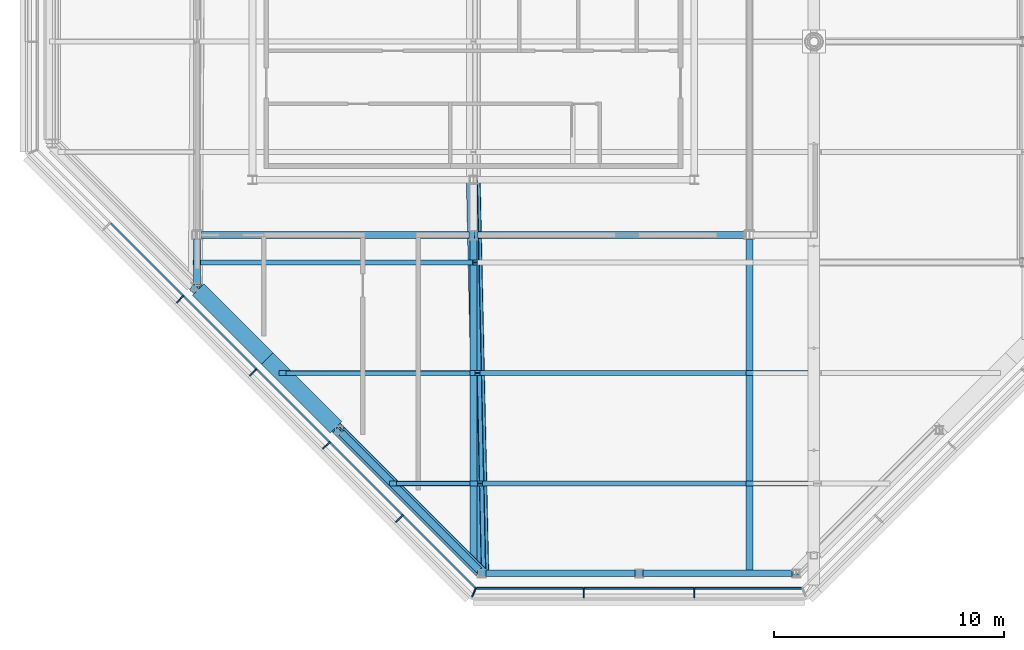
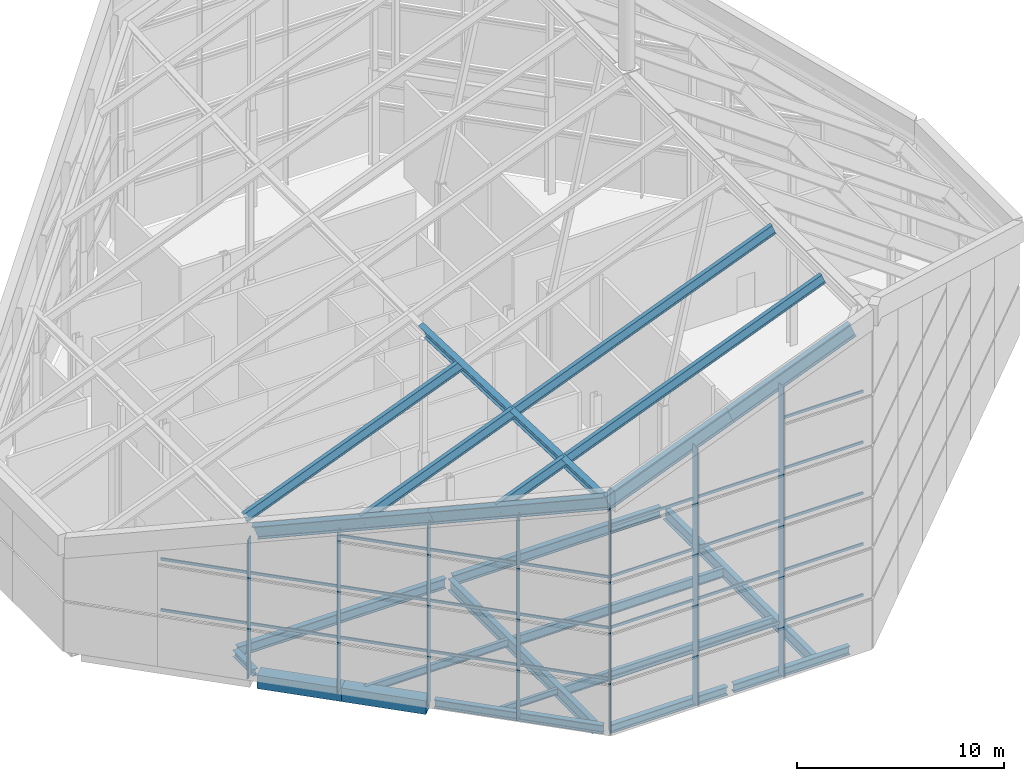
# One storey, part 4 of 21: 33 members, 24 beams, 2 elements without a shape of their own.
"""IFC4 building model written with IfcOpenShell, lengths in metres."""

from ifc_helpers import new_model, si_unit, direction, frame, origin, origin_2d, place, context, subcontext, project, spatial, rectangle, hollow_rectangle, i_section, extrude, material, material_profile, profile_set, type_object, element, aggregate, save


model = new_model("IFC4")

# Units and contexts
model_context = context("Model", 3, precision=1e-05, world=origin(), true_north=direction((0.0, 1.0)))
body_context = subcontext(model_context, "Body", "Model", "MODEL_VIEW")
ifc_project = project(units=[si_unit("LENGTHUNIT", "METRE"), si_unit("AREAUNIT", "SQUARE_METRE"), si_unit("VOLUMEUNIT", "CUBIC_METRE"), si_unit("PLANEANGLEUNIT", "RADIAN"), si_unit("MASSUNIT", "GRAM", prefix="KILO")], contexts=[model_context])

# Site, building, storey
site_placement = place(None, origin())
site = spatial("IfcSite", under=ifc_project, at=site_placement, CompositionType="ELEMENT")
building_placement = place(site_placement, origin())
building = spatial("IfcBuilding", under=site, at=building_placement, Name="Cairn Pilgrim Tower", CompositionType="ELEMENT")
storey_placement = place(building_placement, frame((0.0, 0.0, 295.800048828125)))
storey = spatial("IfcBuildingStorey", under=building, at=storey_placement, Name="L76", CompositionType="ELEMENT", Elevation=295.800048828125)

# Beams
ifc_material_1 = material(Name="Structural steel S355J2", Category="steel")
ifc_material_profile_1 = material_profile(ifc_material_1, hollow_rectangle(XDim=0.699951171875, YDim=0.800048828125, WallThickness=0.0400390625, at=origin_2d()), Name="BOX 700x800x40")
ifc_profile_set_1 = profile_set([ifc_material_profile_1], Name="Structural steel S355J2")
beam_type_1 = type_object("IfcBeamType", Name="BOX 700x800x40 RING GIRDER", PredefinedType="SPANDREL", material=ifc_profile_set_1)
for number, where, z_axis, x_axis, name in (
    (1, (-4.751220703125, -10.77587890625, -0.60009765625), (0.707077889614, -0.707135671578, 0.0), (0.707135671578, 0.707077889614, 0.0), "RG4-SW2-SW3-1"),
    (2, (-1.763671875, -13.763671875, -0.60009765625), (0.707135671578, -0.707077889614, 0.0), (0.707077889614, 0.707135671578, 0.0), "RG4-SW2-SW3-2"),
):
    element("IfcBeam", number, at=place(storey_placement, frame(where, z_axis=z_axis, x_axis=x_axis)), inside=storey, type_object=beam_type_1, Name=name, PredefinedType="SPANDREL", context=body_context, shape_type="SweptSolid", body=[
        extrude(hollow_rectangle(XDim=0.699951171875, YDim=0.800048828125, WallThickness=0.0400390625, at=origin_2d()), origin(), (0.0, 0.0, 1.0), 4.22509765625),
    ])
ifc_material_profile_2 = material_profile(ifc_material_1, i_section(OverallWidth=0.219970703125, OverallDepth=0.60009765625, WebThickness=0.011962890625, FlangeThickness=0.01904296875, FilletRadius=0.02392578125, at=origin_2d()), Name="IPE 600")
ifc_profile_set_2 = profile_set([ifc_material_profile_2], Name="Structural steel S355J2")
beam_type_2 = type_object("IfcBeamType", Name="CROWN RAFTER IPE 600", PredefinedType="BEAM", material=ifc_profile_set_2)
beam_1_placement = place(storey_placement, frame((3.6728515625, -19.199951171875, 11.577392578125), z_axis=(0.929425313232, 0.0, 0.369010280513), x_axis=(0.0, 1.0, 0.0)))
element("IfcBeam", 3, at=beam_1_placement, inside=storey, type_object=beam_type_2, Name="CROWN RAFTER CR-IPE600", PredefinedType="BEAM", context=body_context, shape_type="SweptSolid", body=[
    extrude(i_section(OverallWidth=0.219970703125, OverallDepth=0.60009765625, WebThickness=0.011962890625, FlangeThickness=0.01904296875, FilletRadius=0.02392578125, at=origin_2d()), origin(), (0.0, 0.0, 1.0), 4.104736328125),
])
beam_2_placement = place(storey_placement, frame((7.48779296875, -19.199951171875, 13.092041015625), z_axis=(0.929411850688, 0.0, 0.369044186786), x_axis=(0.0, 1.0, 0.0)))
element("IfcBeam", 4, at=beam_2_placement, inside=storey, type_object=beam_type_2, Name="CROWN RAFTER CR-IPE600", PredefinedType="BEAM", context=body_context, shape_type="SweptSolid", body=[
    extrude(i_section(OverallWidth=0.219970703125, OverallDepth=0.60009765625, WebThickness=0.011962890625, FlangeThickness=0.01904296875, FilletRadius=0.02392578125, at=origin_2d()), origin(), (0.0, 0.0, 1.0), 15.453125),
])
beam_3_placement = place(storey_placement, frame((-1.127197265625, -14.39990234375, 9.671630859375), z_axis=(0.929422499488, 0.0, 0.369017367403), x_axis=(0.0, 1.0, 0.0)))
element("IfcBeam", 5, at=beam_3_placement, inside=storey, type_object=beam_type_2, Name="CROWN RAFTER CR-IPE600", PredefinedType="BEAM", context=body_context, shape_type="SweptSolid", body=[
    extrude(i_section(OverallWidth=0.219970703125, OverallDepth=0.60009765625, WebThickness=0.011962890625, FlangeThickness=0.01904296875, FilletRadius=0.02392578125, at=origin_2d()), origin(), (0.0, 0.0, 1.0), 9.156494140625),
])
beam_4_placement = place(storey_placement, frame((7.383056640625, -14.39990234375, 13.050537109375), z_axis=(0.92941370258, 0.0, 0.369039522892), x_axis=(0.0, 1.0, 0.0)))
element("IfcBeam", 6, at=beam_4_placement, inside=storey, type_object=beam_type_2, Name="CROWN RAFTER CR-IPE600", PredefinedType="BEAM", context=body_context, shape_type="SweptSolid", body=[
    extrude(i_section(OverallWidth=0.219970703125, OverallDepth=0.60009765625, WebThickness=0.011962890625, FlangeThickness=0.01904296875, FilletRadius=0.02392578125, at=origin_2d()), origin(), (0.0, 0.0, 1.0), 15.565673828125),
])
beam_5_placement = place(storey_placement, frame((-4.86962890625, -9.60009765625, 8.185546875), z_axis=(0.929417914855, 0.0, 0.369028914242), x_axis=(0.0, 1.0, 0.0)))
element("IfcBeam", 7, at=beam_5_placement, inside=storey, type_object=beam_type_2, Name="CROWN RAFTER CR-IPE600", PredefinedType="BEAM", context=body_context, shape_type="SweptSolid", body=[
    extrude(i_section(OverallWidth=0.219970703125, OverallDepth=0.60009765625, WebThickness=0.011962890625, FlangeThickness=0.01904296875, FilletRadius=0.02392578125, at=origin_2d()), origin(), (0.0, 0.0, 1.0), 13.07080078125),
])
ifc_material_profile_3 = material_profile(ifc_material_1, i_section(OverallWidth=0.300048828125, OverallDepth=0.89990234375, WebThickness=0.0185546875, FlangeThickness=0.034912109375, FilletRadius=0.030029296875, at=origin_2d()), Name="HEB 900")
ifc_profile_set_3 = profile_set([ifc_material_profile_3], Name="Structural steel S355J2")
beam_type_3 = type_object("IfcBeamType", Name="CROWN TRANSFER GIRDER HE 900 B", PredefinedType="BEAM", material=ifc_profile_set_3)
beam_6_placement = place(storey_placement, frame((7.57275390625, -23.10009765625, 12.964599609375), z_axis=(0.929420336582, 0.0, 0.369022814943), x_axis=(0.0, 1.0, 0.0)))
element("IfcBeam", 8, at=beam_6_placement, inside=storey, type_object=beam_type_3, Name="CROWN TRANSFER GIRDER CT-HE900B", PredefinedType="BEAM", context=body_context, shape_type="SweptSolid", body=[
    extrude(i_section(OverallWidth=0.300048828125, OverallDepth=0.89990234375, WebThickness=0.0185546875, FlangeThickness=0.034912109375, FilletRadius=0.030029296875, at=origin_2d()), origin(), (0.0, 0.0, 1.0), 7.345703125),
])
beam_7_placement = place(storey_placement, frame((14.39990234375, -23.10009765625, 15.67529296875), z_axis=(0.929413463465, 0.0, 0.369040125096), x_axis=(0.0, 1.0, 0.0)))
element("IfcBeam", 9, at=beam_7_placement, inside=storey, type_object=beam_type_3, Name="CROWN TRANSFER GIRDER CT-HE900B", PredefinedType="BEAM", context=body_context, shape_type="SweptSolid", body=[
    extrude(i_section(OverallWidth=0.300048828125, OverallDepth=0.89990234375, WebThickness=0.0185546875, FlangeThickness=0.034912109375, FilletRadius=0.030029296875, at=origin_2d()), origin(), (0.0, 0.0, 1.0), 7.345947265625),
])
beam_8_placement = place(storey_placement, frame((-4.875732421875, -10.651611328125, 8.021728515625), z_axis=(0.680781472594, -0.680781472594, 0.270320500787), x_axis=(0.632729303532, 0.732486577716, 0.251231052854)))
element("IfcBeam", 10, at=beam_8_placement, inside=storey, type_object=beam_type_3, Name="CROWN TRANSFER GIRDER CT-HE900B", PredefinedType="BEAM", context=body_context, shape_type="SweptSolid", body=[
    extrude(i_section(OverallWidth=0.300048828125, OverallDepth=0.89990234375, WebThickness=0.0185546875, FlangeThickness=0.034912109375, FilletRadius=0.030029296875, at=origin_2d()), origin(), (0.0, 0.0, 1.0), 9.142578125),
])
beam_9_placement = place(storey_placement, frame((1.348388671875, -16.875732421875, 10.4931640625), z_axis=(0.680783423804, -0.680783423804, 0.270310672648), x_axis=(0.632731116988, 0.73248476426, 0.251231772915)))
element("IfcBeam", 11, at=beam_9_placement, inside=storey, type_object=beam_type_3, Name="CROWN TRANSFER GIRDER CT-HE900B", PredefinedType="BEAM", context=body_context, shape_type="SweptSolid", body=[
    extrude(i_section(OverallWidth=0.300048828125, OverallDepth=0.89990234375, WebThickness=0.0185546875, FlangeThickness=0.034912109375, FilletRadius=0.030029296875, at=origin_2d()), origin(), (0.0, 0.0, 1.0), 9.14306640625),
])
beam_10_placement = place(storey_placement, frame((7.57275390625, -23.10009765625, 12.964599609375), z_axis=(-0.021795210511, 0.999725039043, -0.008649572737), x_axis=(-0.929160661283, -0.023448801524, -0.36893172706)))
element("IfcBeam", 12, at=beam_10_placement, inside=storey, type_object=beam_type_3, Name="CROWN TRANSFER GIRDER CT-HE900B", PredefinedType="BEAM", context=body_context, shape_type="SweptSolid", body=[
    extrude(i_section(OverallWidth=0.300048828125, OverallDepth=0.89990234375, WebThickness=0.0185546875, FlangeThickness=0.034912109375, FilletRadius=0.030029296875, at=origin_2d()), origin(), (0.0, 0.0, 1.0), 17.104736328125),
])

# Curtain wall, members
ifc_material_2 = material(Name="Aluminium alloy 6063-T6 bronze anodised with Bronze tinted laminated low-E glass 8+16+8.8", Category="aluminium")
curtain_wall_type = type_object("IfcCurtainWallType", Name="CROWN LOUVRE CURTAIN WALL", PredefinedType="NOTDEFINED", material=ifc_material_2)
curtain_wall_1_placement = place(storey_placement, origin())
curtain_wall_1 = element("IfcCurtainWall", 13, at=curtain_wall_1_placement, inside=storey, type_object=curtain_wall_type, Name="Crown Louvre Curtain Wall S", PredefinedType="NOTDEFINED")
ifc_material_3 = material(Name="Aluminium alloy 6063-T6 bronze anodised", Category="aluminium")
ifc_material_profile_4 = material_profile(ifc_material_3, rectangle(XDim=0.449951171875, YDim=0.06005859375, at=origin_2d()), Name="FIN MULLION 60x450 BRONZE")
ifc_profile_set_4 = profile_set([ifc_material_profile_4], Name="Aluminium alloy 6063-T6 bronze anodised")
member_type_1 = type_object("IfcMemberType", Name="FIN MULLION 60x450 BRONZE", PredefinedType="MULLION", material=ifc_profile_set_4)
member_1_placement = place(storey_placement, frame((7.22900390625, -23.93017578125, 0.0), z_axis=(0.0, 0.0, 1.0), x_axis=(-0.382683432365, -0.923879532511, 0.0)))
member_1 = element("IfcMember", 14, at=member_1_placement, type_object=member_type_1, Name="Fin mullion S1", PredefinedType="MULLION", context=body_context, shape_type="SweptSolid", body=[
    extrude(rectangle(XDim=0.449951171875, YDim=0.06005859375, at=origin_2d()), origin(), (0.0, 0.0, 1.0), 13.26708984375),
])
member_2_placement = place(storey_placement, frame((12.0, -23.945068359375, 0.0), z_axis=(0.0, 0.0, 1.0), x_axis=(0.0, -1.0, 0.0)))
member_2 = element("IfcMember", 15, at=member_2_placement, type_object=member_type_1, Name="Fin mullion S2", PredefinedType="MULLION", context=body_context, shape_type="SweptSolid", body=[
    extrude(rectangle(XDim=0.449951171875, YDim=0.06005859375, at=origin_2d()), origin(), (0.0, 0.0, 1.0), 15.194580078125),
])
member_3_placement = place(storey_placement, frame((16.800048828125, -23.945068359375, 0.0), z_axis=(0.0, 0.0, 1.0), x_axis=(0.0, -1.0, 0.0)))
member_3 = element("IfcMember", 16, at=member_3_placement, type_object=member_type_1, Name="Fin mullion S3", PredefinedType="MULLION", context=body_context, shape_type="SweptSolid", body=[
    extrude(rectangle(XDim=0.449951171875, YDim=0.06005859375, at=origin_2d()), origin(), (0.0, 0.0, 1.0), 17.1005859375),
])

curtain_wall_2_placement = place(storey_placement, origin())
curtain_wall_2 = element("IfcCurtainWall", 17, at=curtain_wall_2_placement, inside=storey, type_object=curtain_wall_type, Name="Crown Louvre Curtain Wall SW", PredefinedType="NOTDEFINED")
member_4_placement = place(storey_placement, frame((-5.53662109375, -11.185546875, 0.0), z_axis=(0.0, 0.0, 1.0), x_axis=(-0.707106781187, -0.707106781187, 0.0)))
member_4 = element("IfcMember", 18, at=member_4_placement, type_object=member_type_1, Name="Fin mullion SW3", PredefinedType="MULLION", context=body_context, shape_type="SweptSolid", body=[
    extrude(rectangle(XDim=0.449951171875, YDim=0.06005859375, at=origin_2d()), origin(), (0.0, 0.0, 1.0), 8.171875),
])
member_5_placement = place(storey_placement, frame((-2.361083984375, -14.361083984375, 0.0), z_axis=(0.0, 0.0, 1.0), x_axis=(-0.707106781187, -0.707106781187, 0.0)))
member_5 = element("IfcMember", 19, at=member_5_placement, type_object=member_type_1, Name="Fin mullion SW4", PredefinedType="MULLION", context=body_context, shape_type="SweptSolid", body=[
    extrude(rectangle(XDim=0.449951171875, YDim=0.06005859375, at=origin_2d()), origin(), (0.0, 0.0, 1.0), 9.432861328125),
])
member_6_placement = place(storey_placement, frame((0.814453125, -17.53662109375, 0.0), z_axis=(0.0, 0.0, 1.0), x_axis=(-0.707106781187, -0.707106781187, 0.0)))
member_6 = element("IfcMember", 20, at=member_6_placement, type_object=member_type_1, Name="Fin mullion SW5", PredefinedType="MULLION", context=body_context, shape_type="SweptSolid", body=[
    extrude(rectangle(XDim=0.449951171875, YDim=0.06005859375, at=origin_2d()), origin(), (0.0, 0.0, 1.0), 10.693603515625),
])
member_7_placement = place(storey_placement, frame((3.989990234375, -20.71240234375, 0.0), z_axis=(0.0, 0.0, 1.0), x_axis=(-0.707106781187, -0.707106781187, 0.0)))
member_7 = element("IfcMember", 21, at=member_7_placement, type_object=member_type_1, Name="Fin mullion SW6", PredefinedType="MULLION", context=body_context, shape_type="SweptSolid", body=[
    extrude(rectangle(XDim=0.449951171875, YDim=0.06005859375, at=origin_2d()), origin(), (0.0, 0.0, 1.0), 11.95458984375),
])

# Beams
ifc_material_profile_5 = material_profile(ifc_material_1, i_section(OverallWidth=0.300048828125, OverallDepth=0.39990234375, WebThickness=0.013427734375, FlangeThickness=0.02392578125, FilletRadius=0.027099609375, at=origin_2d()), Name="HEB 400")
ifc_profile_set_5 = profile_set([ifc_material_profile_5], Name="Structural steel S355J2")
beam_type_4 = type_object("IfcBeamType", Name="HEB 400 GIRDER", PredefinedType="BEAM", material=ifc_profile_set_5)
beam_11_placement = place(storey_placement, frame((-4.800048828125, -10.545166015625, -0.400146484375), z_axis=(0.0, 1.0, 0.0), x_axis=(-1.0, 0.0, 0.0)))
element("IfcBeam", 22, at=beam_11_placement, inside=storey, type_object=beam_type_4, Name="PG2-E1", PredefinedType="BEAM", context=body_context, shape_type="SweptSolid", body=[
    extrude(i_section(OverallWidth=0.300048828125, OverallDepth=0.39990234375, WebThickness=0.013427734375, FlangeThickness=0.02392578125, FilletRadius=0.027099609375, at=origin_2d()), origin(), (0.0, 0.0, 1.0), 1.9482421875),
])
ifc_material_profile_6 = material_profile(ifc_material_1, i_section(OverallWidth=0.300048828125, OverallDepth=0.5, WebThickness=0.014404296875, FlangeThickness=0.028076171875, FilletRadius=0.027099609375, at=origin_2d()), Name="HEB 500")
ifc_profile_set_6 = profile_set([ifc_material_profile_6], Name="Structural steel S355J2")
beam_type_5 = type_object("IfcBeamType", Name="HEB 500 RING GIRDER", PredefinedType="SPANDREL", material=ifc_profile_set_6)
for number, where, z_axis, x_axis, name in (
    (23, (7.748779296875, -23.10009765625, -0.449951171875), (1.0, 0.0, 0.0), (0.0, 1.0, 0.0), "RG4-S1-S2"),
    (24, (14.575927734375, -23.10009765625, -0.449951171875), (1.0, 0.0, 0.0), (0.0, 1.0, 0.0), "RG4-S2-SE1"),
):
    element("IfcBeam", number, at=place(storey_placement, frame(where, z_axis=z_axis, x_axis=x_axis)), inside=storey, type_object=beam_type_5, Name=name, PredefinedType="SPANDREL", context=body_context, shape_type="SweptSolid", body=[
        extrude(i_section(OverallWidth=0.300048828125, OverallDepth=0.5, WebThickness=0.014404296875, FlangeThickness=0.028076171875, FilletRadius=0.027099609375, at=origin_2d()), origin(), (0.0, 0.0, 1.0), 6.475341796875),
    ])
beam_12_placement = place(storey_placement, frame((1.472900390625, -17.000244140625, -0.449951171875), z_axis=(0.707121226235, -0.707092335843, 0.0), x_axis=(0.707092335843, 0.707121226235, 0.0)))
element("IfcBeam", 25, at=beam_12_placement, inside=storey, type_object=beam_type_5, Name="RG4-SW3-S1", PredefinedType="SPANDREL", context=body_context, shape_type="SweptSolid", body=[
    extrude(i_section(OverallWidth=0.300048828125, OverallDepth=0.5, WebThickness=0.014404296875, FlangeThickness=0.028076171875, FilletRadius=0.027099609375, at=origin_2d()), origin(), (0.0, 0.0, 1.0), 8.45068359375),
])
ifc_material_profile_7 = material_profile(ifc_material_1, i_section(OverallWidth=0.300048828125, OverallDepth=0.60009765625, WebThickness=0.015380859375, FlangeThickness=0.030029296875, FilletRadius=0.027099609375, at=origin_2d()), Name="HEB 600")
ifc_profile_set_7 = profile_set([ifc_material_profile_7], Name="Structural steel S355J2")
beam_type_6 = type_object("IfcBeamType", Name="HEB 600 INNER GIRDER", PredefinedType="BEAM", material=ifc_profile_set_7)
for number, where, z_axis, x_axis, name in (
    (26, (-4.60302734375, -8.39990234375, -0.5), (1.0, 0.0, 0.0), (0.0, 1.0, 0.0), "IG1-1"),
    (27, (7.39697265625, -8.39990234375, -0.5), (1.0, 0.0, 0.0), (0.0, 1.0, 0.0), "IG1-2"),
):
    element("IfcBeam", number, at=place(storey_placement, frame(where, z_axis=z_axis, x_axis=x_axis)), inside=storey, type_object=beam_type_6, Name=name, PredefinedType="BEAM", context=body_context, shape_type="SweptSolid", body=[
        extrude(i_section(OverallWidth=0.300048828125, OverallDepth=0.60009765625, WebThickness=0.015380859375, FlangeThickness=0.030029296875, FilletRadius=0.027099609375, at=origin_2d()), origin(), (0.0, 0.0, 1.0), 11.60595703125),
    ])
ifc_material_profile_8 = material_profile(ifc_material_1, i_section(OverallWidth=0.300048828125, OverallDepth=0.699951171875, WebThickness=0.01708984375, FlangeThickness=0.031982421875, FilletRadius=0.027099609375, at=origin_2d()), Name="HEB 700")
ifc_profile_set_8 = profile_set([ifc_material_profile_8], Name="Structural steel S355J2")
beam_type_7 = type_object("IfcBeamType", Name="HEB 700 GIRDER", PredefinedType="BEAM", material=ifc_profile_set_8)
beam_13_placement = place(storey_placement, frame((7.199951171875, -22.545166015625, -0.550048828125), z_axis=(0.0, 1.0, 0.0), x_axis=(-1.0, 0.0, 0.0)))
element("IfcBeam", 28, at=beam_13_placement, inside=storey, type_object=beam_type_7, Name="PG3-1", PredefinedType="BEAM", context=body_context, shape_type="SweptSolid", body=[
    extrude(i_section(OverallWidth=0.300048828125, OverallDepth=0.699951171875, WebThickness=0.01708984375, FlangeThickness=0.031982421875, FilletRadius=0.027099609375, at=origin_2d()), origin(), (0.0, 0.0, 1.0), 13.9482421875),
])
beam_14_placement = place(storey_placement, frame((19.199951171875, -22.97998046875, -0.550048828125), z_axis=(0.0, 1.0, 0.0), x_axis=(-1.0, 0.0, 0.0)))
element("IfcBeam", 29, at=beam_14_placement, inside=storey, type_object=beam_type_7, Name="PG4-1", PredefinedType="BEAM", context=body_context, shape_type="SweptSolid", body=[
    extrude(i_section(OverallWidth=0.300048828125, OverallDepth=0.699951171875, WebThickness=0.01708984375, FlangeThickness=0.031982421875, FilletRadius=0.027099609375, at=origin_2d()), origin(), (0.0, 0.0, 1.0), 14.383056640625),
])
ifc_material_profile_9 = material_profile(ifc_material_1, i_section(OverallWidth=0.169921875, OverallDepth=0.360107421875, WebThickness=0.008056640625, FlangeThickness=0.0126953125, FilletRadius=0.01806640625, at=origin_2d()), Name="IPE 360")
ifc_profile_set_9 = profile_set([ifc_material_profile_9], Name="Structural steel S355J2")
beam_type_8 = type_object("IfcBeamType", Name="IPE 360 SECONDARY BEAM", PredefinedType="JOIST", material=ifc_profile_set_9)
beam_15_placement = place(storey_placement, frame((3.85498046875, -19.199951171875, -0.380126953125), z_axis=(1.0, 0.0, 0.0), x_axis=(0.0, 1.0, 0.0)))
element("IfcBeam", 30, at=beam_15_placement, inside=storey, type_object=beam_type_8, Name="SB1-1", PredefinedType="JOIST", context=body_context, shape_type="SweptSolid", body=[
    extrude(i_section(OverallWidth=0.169921875, OverallDepth=0.360107421875, WebThickness=0.008056640625, FlangeThickness=0.0126953125, FilletRadius=0.01806640625, at=origin_2d()), origin(), (0.0, 0.0, 1.0), 3.195068359375),
])
ifc_material_profile_10 = material_profile(ifc_material_1, i_section(OverallWidth=0.18994140625, OverallDepth=0.449951171875, WebThickness=0.009521484375, FlangeThickness=0.0146484375, FilletRadius=0.02099609375, at=origin_2d()), Name="IPE 450")
ifc_profile_set_10 = profile_set([ifc_material_profile_10], Name="Structural steel S355J2")
beam_type_9 = type_object("IfcBeamType", Name="IPE 450 SECONDARY BEAM", PredefinedType="JOIST", material=ifc_profile_set_10)
beam_16_placement = place(storey_placement, frame((-0.945068359375, -14.39990234375, -0.425048828125), z_axis=(1.0, 0.0, 0.0), x_axis=(0.0, 1.0, 0.0)))
element("IfcBeam", 31, at=beam_16_placement, inside=storey, type_object=beam_type_9, Name="SB2-1", PredefinedType="JOIST", context=body_context, shape_type="SweptSolid", body=[
    extrude(i_section(OverallWidth=0.18994140625, OverallDepth=0.449951171875, WebThickness=0.009521484375, FlangeThickness=0.0146484375, FilletRadius=0.02099609375, at=origin_2d()), origin(), (0.0, 0.0, 1.0), 7.9951171875),
])
ifc_material_profile_11 = material_profile(ifc_material_1, i_section(OverallWidth=0.2099609375, OverallDepth=0.550048828125, WebThickness=0.010986328125, FlangeThickness=0.01708984375, FilletRadius=0.02392578125, at=origin_2d()), Name="IPE 550")
ifc_profile_set_11 = profile_set([ifc_material_profile_11], Name="Structural steel S355J2")
beam_type_10 = type_object("IfcBeamType", Name="IPE 550 SECONDARY BEAM", PredefinedType="JOIST", material=ifc_profile_set_11)
for number, where, z_axis, x_axis, name in (
    (32, (7.35009765625, -19.199951171875, -0.47509765625), (1.0, 0.0, 0.0), (0.0, 1.0, 0.0), "SB1-2"),
    (33, (7.35009765625, -14.39990234375, -0.47509765625), (1.0, 0.0, 0.0), (0.0, 1.0, 0.0), "SB2-2"),
):
    element("IfcBeam", number, at=place(storey_placement, frame(where, z_axis=z_axis, x_axis=x_axis)), inside=storey, type_object=beam_type_10, Name=name, PredefinedType="JOIST", context=body_context, shape_type="SweptSolid", body=[
        extrude(i_section(OverallWidth=0.2099609375, OverallDepth=0.550048828125, WebThickness=0.010986328125, FlangeThickness=0.01708984375, FilletRadius=0.02392578125, at=origin_2d()), origin(), (0.0, 0.0, 1.0), 11.699951171875),
    ])

# Member
ifc_material_profile_12 = material_profile(ifc_material_3, rectangle(XDim=0.080078125, YDim=0.14990234375, at=origin_2d()), Name="TRANSOM 80x150 BRONZE")
ifc_profile_set_12 = profile_set([ifc_material_profile_12], Name="Aluminium alloy 6063-T6 bronze anodised")
member_type_2 = type_object("IfcMemberType", Name="TRANSOM 80x150 BRONZE", PredefinedType="USERDEFINED", material=ifc_profile_set_12)
member_8_placement = place(storey_placement, frame((7.343505859375, -23.75, 3.0), z_axis=(1.0, 0.0, 0.0), x_axis=(0.0, 1.0, 0.0)))
member_8 = element("IfcMember", 34, at=member_8_placement, type_object=member_type_2, Name="Transom S1", ObjectType="TRANSOM", PredefinedType="USERDEFINED", context=body_context, shape_type="SweptSolid", body=[
    extrude(rectangle(XDim=0.080078125, YDim=0.14990234375, at=origin_2d()), origin(), (0.0, 0.0, 1.0), 4.62646484375),
])

member_9_placement = place(storey_placement, frame((7.343505859375, -23.75, 6.0), z_axis=(1.0, 0.0, 0.0), x_axis=(0.0, 1.0, 0.0)))
member_9 = element("IfcMember", 35, at=member_9_placement, type_object=member_type_2, Name="Transom S1", ObjectType="TRANSOM", PredefinedType="USERDEFINED", context=body_context, shape_type="SweptSolid", body=[
    extrude(rectangle(XDim=0.080078125, YDim=0.14990234375, at=origin_2d()), origin(), (0.0, 0.0, 1.0), 4.62646484375),
])

member_10_placement = place(storey_placement, frame((7.343505859375, -23.75, 9.0), z_axis=(1.0, 0.0, 0.0), x_axis=(0.0, 1.0, 0.0)))
member_10 = element("IfcMember", 36, at=member_10_placement, type_object=member_type_2, Name="Transom S1", ObjectType="TRANSOM", PredefinedType="USERDEFINED", context=body_context, shape_type="SweptSolid", body=[
    extrude(rectangle(XDim=0.080078125, YDim=0.14990234375, at=origin_2d()), origin(), (0.0, 0.0, 1.0), 4.62646484375),
])

member_11_placement = place(storey_placement, frame((7.343505859375, -23.75, 12.0), z_axis=(1.0, 0.0, 0.0), x_axis=(0.0, 1.0, 0.0)))
member_11 = element("IfcMember", 37, at=member_11_placement, type_object=member_type_2, Name="Transom S1", ObjectType="TRANSOM", PredefinedType="USERDEFINED", context=body_context, shape_type="SweptSolid", body=[
    extrude(rectangle(XDim=0.080078125, YDim=0.14990234375, at=origin_2d()), origin(), (0.0, 0.0, 1.0), 4.62646484375),
])

member_12_placement = place(storey_placement, frame((12.030029296875, -23.75, 3.0), z_axis=(1.0, 0.0, 0.0), x_axis=(0.0, 1.0, 0.0)))
member_12 = element("IfcMember", 38, at=member_12_placement, type_object=member_type_2, Name="Transom S2", ObjectType="TRANSOM", PredefinedType="USERDEFINED", context=body_context, shape_type="SweptSolid", body=[
    extrude(rectangle(XDim=0.080078125, YDim=0.14990234375, at=origin_2d()), origin(), (0.0, 0.0, 1.0), 4.739990234375),
])

member_13_placement = place(storey_placement, frame((12.030029296875, -23.75, 6.0), z_axis=(1.0, 0.0, 0.0), x_axis=(0.0, 1.0, 0.0)))
member_13 = element("IfcMember", 39, at=member_13_placement, type_object=member_type_2, Name="Transom S2", ObjectType="TRANSOM", PredefinedType="USERDEFINED", context=body_context, shape_type="SweptSolid", body=[
    extrude(rectangle(XDim=0.080078125, YDim=0.14990234375, at=origin_2d()), origin(), (0.0, 0.0, 1.0), 4.739990234375),
])

member_14_placement = place(storey_placement, frame((12.030029296875, -23.75, 9.0), z_axis=(1.0, 0.0, 0.0), x_axis=(0.0, 1.0, 0.0)))
member_14 = element("IfcMember", 40, at=member_14_placement, type_object=member_type_2, Name="Transom S2", ObjectType="TRANSOM", PredefinedType="USERDEFINED", context=body_context, shape_type="SweptSolid", body=[
    extrude(rectangle(XDim=0.080078125, YDim=0.14990234375, at=origin_2d()), origin(), (0.0, 0.0, 1.0), 4.739990234375),
])

member_15_placement = place(storey_placement, frame((12.030029296875, -23.75, 12.0), z_axis=(1.0, 0.0, 0.0), x_axis=(0.0, 1.0, 0.0)))
member_15 = element("IfcMember", 41, at=member_15_placement, type_object=member_type_2, Name="Transom S2", ObjectType="TRANSOM", PredefinedType="USERDEFINED", context=body_context, shape_type="SweptSolid", body=[
    extrude(rectangle(XDim=0.080078125, YDim=0.14990234375, at=origin_2d()), origin(), (0.0, 0.0, 1.0), 4.739990234375),
])

member_16_placement = place(storey_placement, frame((16.830078125, -23.75, 3.0), z_axis=(1.0, 0.0, 0.0), x_axis=(0.0, 1.0, 0.0)))
member_16 = element("IfcMember", 42, at=member_16_placement, type_object=member_type_2, Name="Transom S3", ObjectType="TRANSOM", PredefinedType="USERDEFINED", context=body_context, shape_type="SweptSolid", body=[
    extrude(rectangle(XDim=0.080078125, YDim=0.14990234375, at=origin_2d()), origin(), (0.0, 0.0, 1.0), 4.62646484375),
])

member_17_placement = place(storey_placement, frame((16.830078125, -23.75, 6.0), z_axis=(1.0, 0.0, 0.0), x_axis=(0.0, 1.0, 0.0)))
member_17 = element("IfcMember", 43, at=member_17_placement, type_object=member_type_2, Name="Transom S3", ObjectType="TRANSOM", PredefinedType="USERDEFINED", context=body_context, shape_type="SweptSolid", body=[
    extrude(rectangle(XDim=0.080078125, YDim=0.14990234375, at=origin_2d()), origin(), (0.0, 0.0, 1.0), 4.62646484375),
])

member_18_placement = place(storey_placement, frame((16.830078125, -23.75, 9.0), z_axis=(1.0, 0.0, 0.0), x_axis=(0.0, 1.0, 0.0)))
member_18 = element("IfcMember", 44, at=member_18_placement, type_object=member_type_2, Name="Transom S3", ObjectType="TRANSOM", PredefinedType="USERDEFINED", context=body_context, shape_type="SweptSolid", body=[
    extrude(rectangle(XDim=0.080078125, YDim=0.14990234375, at=origin_2d()), origin(), (0.0, 0.0, 1.0), 4.62646484375),
])

member_19_placement = place(storey_placement, frame((16.830078125, -23.75, 12.0), z_axis=(1.0, 0.0, 0.0), x_axis=(0.0, 1.0, 0.0)))
member_19 = element("IfcMember", 45, at=member_19_placement, type_object=member_type_2, Name="Transom S3", ObjectType="TRANSOM", PredefinedType="USERDEFINED", context=body_context, shape_type="SweptSolid", body=[
    extrude(rectangle(XDim=0.080078125, YDim=0.14990234375, at=origin_2d()), origin(), (0.0, 0.0, 1.0), 4.62646484375),
])

member_20_placement = place(storey_placement, frame((16.830078125, -23.75, 15.0), z_axis=(1.0, 0.0, 0.0), x_axis=(0.0, 1.0, 0.0)))
member_20 = element("IfcMember", 46, at=member_20_placement, type_object=member_type_2, Name="Transom S3", ObjectType="TRANSOM", PredefinedType="USERDEFINED", context=body_context, shape_type="SweptSolid", body=[
    extrude(rectangle(XDim=0.080078125, YDim=0.14990234375, at=origin_2d()), origin(), (0.0, 0.0, 1.0), 4.62646484375),
])

aggregate(curtain_wall_1, [member_1, member_2, member_3, member_8, member_9, member_10, member_11, member_12, member_13, member_14, member_15, member_16, member_17, member_18, member_19, member_20])

member_21_placement = place(storey_placement, frame((-8.55322265625, -7.893310546875, 3.0), z_axis=(0.707134329907, -0.707079231393, 0.0), x_axis=(0.707079231393, 0.707134329907, 0.0)))
member_21 = element("IfcMember", 47, at=member_21_placement, type_object=member_type_2, Name="Transom SW2", ObjectType="TRANSOM", PredefinedType="USERDEFINED", context=body_context, shape_type="SweptSolid", body=[
    extrude(rectangle(XDim=0.080078125, YDim=0.14990234375, at=origin_2d()), origin(), (0.0, 0.0, 1.0), 4.430908203125),
])

member_22_placement = place(storey_placement, frame((-8.55322265625, -7.893310546875, 6.0), z_axis=(0.707134329907, -0.707079231393, 0.0), x_axis=(0.707079231393, 0.707134329907, 0.0)))
member_22 = element("IfcMember", 48, at=member_22_placement, type_object=member_type_2, Name="Transom SW2", ObjectType="TRANSOM", PredefinedType="USERDEFINED", context=body_context, shape_type="SweptSolid", body=[
    extrude(rectangle(XDim=0.080078125, YDim=0.14990234375, at=origin_2d()), origin(), (0.0, 0.0, 1.0), 4.430908203125),
])

member_23_placement = place(storey_placement, frame((-5.377685546875, -11.06884765625, 3.0), z_axis=(0.707134329907, -0.707079231393, 0.0), x_axis=(0.707079231393, 0.707134329907, 0.0)))
member_23 = element("IfcMember", 49, at=member_23_placement, type_object=member_type_2, Name="Transom SW3", ObjectType="TRANSOM", PredefinedType="USERDEFINED", context=body_context, shape_type="SweptSolid", body=[
    extrude(rectangle(XDim=0.080078125, YDim=0.14990234375, at=origin_2d()), origin(), (0.0, 0.0, 1.0), 4.430908203125),
])

member_24_placement = place(storey_placement, frame((-5.377685546875, -11.06884765625, 6.0), z_axis=(0.707134329907, -0.707079231393, 0.0), x_axis=(0.707079231393, 0.707134329907, 0.0)))
member_24 = element("IfcMember", 50, at=member_24_placement, type_object=member_type_2, Name="Transom SW3", ObjectType="TRANSOM", PredefinedType="USERDEFINED", context=body_context, shape_type="SweptSolid", body=[
    extrude(rectangle(XDim=0.080078125, YDim=0.14990234375, at=origin_2d()), origin(), (0.0, 0.0, 1.0), 4.430908203125),
])

member_25_placement = place(storey_placement, frame((-2.201904296875, -14.244384765625, 3.0), z_axis=(0.707079231393, -0.707134329907, 0.0), x_axis=(0.707134329907, 0.707079231393, 0.0)))
member_25 = element("IfcMember", 51, at=member_25_placement, type_object=member_type_2, Name="Transom SW4", ObjectType="TRANSOM", PredefinedType="USERDEFINED", context=body_context, shape_type="SweptSolid", body=[
    extrude(rectangle(XDim=0.080078125, YDim=0.14990234375, at=origin_2d()), origin(), (0.0, 0.0, 1.0), 4.430908203125),
])

member_26_placement = place(storey_placement, frame((-2.201904296875, -14.244384765625, 6.0), z_axis=(0.707079231393, -0.707134329907, 0.0), x_axis=(0.707134329907, 0.707079231393, 0.0)))
member_26 = element("IfcMember", 52, at=member_26_placement, type_object=member_type_2, Name="Transom SW4", ObjectType="TRANSOM", PredefinedType="USERDEFINED", context=body_context, shape_type="SweptSolid", body=[
    extrude(rectangle(XDim=0.080078125, YDim=0.14990234375, at=origin_2d()), origin(), (0.0, 0.0, 1.0), 4.430908203125),
])

member_27_placement = place(storey_placement, frame((-2.201904296875, -14.244384765625, 9.0), z_axis=(0.707079231393, -0.707134329907, 0.0), x_axis=(0.707134329907, 0.707079231393, 0.0)))
member_27 = element("IfcMember", 53, at=member_27_placement, type_object=member_type_2, Name="Transom SW4", ObjectType="TRANSOM", PredefinedType="USERDEFINED", context=body_context, shape_type="SweptSolid", body=[
    extrude(rectangle(XDim=0.080078125, YDim=0.14990234375, at=origin_2d()), origin(), (0.0, 0.0, 1.0), 4.430908203125),
])

member_28_placement = place(storey_placement, frame((0.9736328125, -17.419921875, 3.0), z_axis=(0.707079231393, -0.707134329907, 0.0), x_axis=(0.707134329907, 0.707079231393, 0.0)))
member_28 = element("IfcMember", 54, at=member_28_placement, type_object=member_type_2, Name="Transom SW5", ObjectType="TRANSOM", PredefinedType="USERDEFINED", context=body_context, shape_type="SweptSolid", body=[
    extrude(rectangle(XDim=0.080078125, YDim=0.14990234375, at=origin_2d()), origin(), (0.0, 0.0, 1.0), 4.430908203125),
])

member_29_placement = place(storey_placement, frame((0.9736328125, -17.419921875, 6.0), z_axis=(0.707079231393, -0.707134329907, 0.0), x_axis=(0.707134329907, 0.707079231393, 0.0)))
member_29 = element("IfcMember", 55, at=member_29_placement, type_object=member_type_2, Name="Transom SW5", ObjectType="TRANSOM", PredefinedType="USERDEFINED", context=body_context, shape_type="SweptSolid", body=[
    extrude(rectangle(XDim=0.080078125, YDim=0.14990234375, at=origin_2d()), origin(), (0.0, 0.0, 1.0), 4.430908203125),
])

member_30_placement = place(storey_placement, frame((0.9736328125, -17.419921875, 9.0), z_axis=(0.707079231393, -0.707134329907, 0.0), x_axis=(0.707134329907, 0.707079231393, 0.0)))
member_30 = element("IfcMember", 56, at=member_30_placement, type_object=member_type_2, Name="Transom SW5", ObjectType="TRANSOM", PredefinedType="USERDEFINED", context=body_context, shape_type="SweptSolid", body=[
    extrude(rectangle(XDim=0.080078125, YDim=0.14990234375, at=origin_2d()), origin(), (0.0, 0.0, 1.0), 4.430908203125),
])

member_31_placement = place(storey_placement, frame((4.149169921875, -20.595703125, 3.0), z_axis=(0.707134392299, -0.707079168996, 0.0), x_axis=(0.707079168996, 0.707134392299, 0.0)))
member_31 = element("IfcMember", 57, at=member_31_placement, type_object=member_type_2, Name="Transom SW6", ObjectType="TRANSOM", PredefinedType="USERDEFINED", context=body_context, shape_type="SweptSolid", body=[
    extrude(rectangle(XDim=0.080078125, YDim=0.14990234375, at=origin_2d()), origin(), (0.0, 0.0, 1.0), 4.4208984375),
])

member_32_placement = place(storey_placement, frame((4.149169921875, -20.595703125, 6.0), z_axis=(0.707134392299, -0.707079168996, 0.0), x_axis=(0.707079168996, 0.707134392299, 0.0)))
member_32 = element("IfcMember", 58, at=member_32_placement, type_object=member_type_2, Name="Transom SW6", ObjectType="TRANSOM", PredefinedType="USERDEFINED", context=body_context, shape_type="SweptSolid", body=[
    extrude(rectangle(XDim=0.080078125, YDim=0.14990234375, at=origin_2d()), origin(), (0.0, 0.0, 1.0), 4.4208984375),
])

member_33_placement = place(storey_placement, frame((4.149169921875, -20.595703125, 9.0), z_axis=(0.707134392299, -0.707079168996, 0.0), x_axis=(0.707079168996, 0.707134392299, 0.0)))
member_33 = element("IfcMember", 59, at=member_33_placement, type_object=member_type_2, Name="Transom SW6", ObjectType="TRANSOM", PredefinedType="USERDEFINED", context=body_context, shape_type="SweptSolid", body=[
    extrude(rectangle(XDim=0.080078125, YDim=0.14990234375, at=origin_2d()), origin(), (0.0, 0.0, 1.0), 4.4208984375),
])

aggregate(curtain_wall_2, [member_4, member_5, member_6, member_7, member_21, member_22, member_23, member_24, member_25, member_26, member_27, member_28, member_29, member_30, member_31, member_32, member_33])

save(model, "model.ifc")
